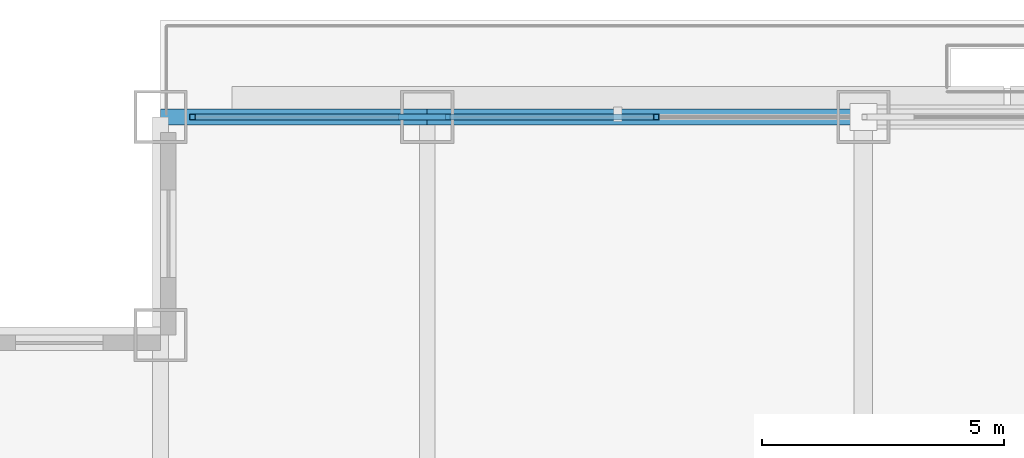
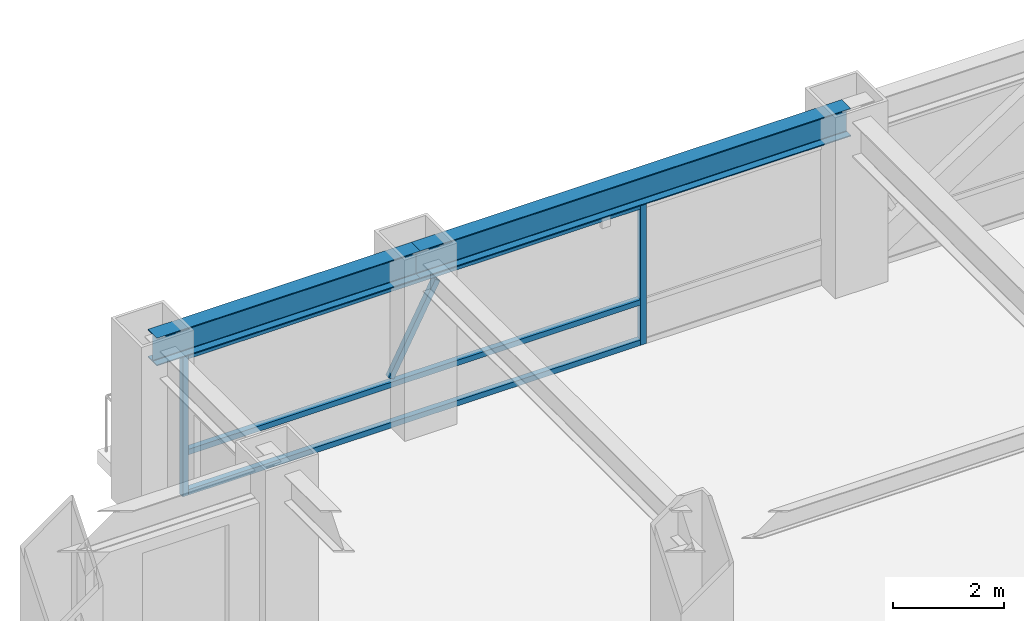
# One storey, part 17 of 35: 6 members, 2 beams, 1 element without a shape of its own.
"""IFC4 building model written with IfcOpenShell, lengths in metres."""

from ifc_helpers import new_model, si_unit, direction, frame, origin, origin_2d, place, context, subcontext, project, spatial, hollow_rectangle, i_section, extrude, source, transform, mapped, material, material_profile, profile_set, type_object, element, aggregate, save


model = new_model("IFC4")

# Units and contexts
model_context = context("Model", 3, precision=1e-05, world=origin(), true_north=direction((0.0, 1.0)))
body_context = subcontext(model_context, "Body", "Model", "MODEL_VIEW")
ifc_project = project(units=[si_unit("LENGTHUNIT", "METRE"), si_unit("AREAUNIT", "SQUARE_METRE"), si_unit("VOLUMEUNIT", "CUBIC_METRE"), si_unit("PLANEANGLEUNIT", "RADIAN"), si_unit("MASSUNIT", "GRAM", prefix="KILO")], contexts=[model_context])

# Site, building, storey
site_placement = place(None, origin())
site = spatial("IfcSite", under=ifc_project, at=site_placement, CompositionType="ELEMENT")
building_placement = place(site_placement, origin())
building = spatial("IfcBuilding", under=site, at=building_placement, Name="Khorayat Bourse Tower", CompositionType="ELEMENT")
storey_placement = place(building_placement, frame((0.0, 0.0, 155.10009765625)))
storey = spatial("IfcBuildingStorey", under=building, at=storey_placement, Name="L35", CompositionType="ELEMENT", Elevation=155.10009765625)

# Beams
ifc_material_1 = material(Name="Steel ASTM A992 Grade 50", Category="steel")
ifc_material_profile_1 = material_profile(ifc_material_1, i_section(OverallWidth=0.324951171875, OverallDepth=0.615966796875, WebThickness=0.013916015625, FlangeThickness=0.021484375, FilletRadius=0.01611328125, at=origin_2d()), Name="W610X174")
ifc_profile_set_1 = profile_set([ifc_material_profile_1], Name="Steel ASTM A992 Grade 50")
beam_type = type_object("IfcBeamType", Name="BM-SPAN-610", PredefinedType="SPANDREL", material=ifc_profile_set_1)
shared_shape_1 = source(origin(), body_context, "Body", "SweptSolid", [
    extrude(i_section(OverallWidth=0.324951171875, OverallDepth=0.615966796875, WebThickness=0.013916015625, FlangeThickness=0.021484375, FilletRadius=0.01611328125, at=origin_2d()), origin(), (0.0, 0.0, 1.0), 5.5),
])
beam_1_placement = place(storey_placement, frame((-25.5, 30.0, 3.471923828125), z_axis=(1.0, 0.0, 0.0), x_axis=(0.0, 1.0, 0.0)))
element("IfcBeam", 1, at=beam_1_placement, inside=storey, type_object=beam_type, Name="L35 BM-SPAN-610 BM-L35-SPN-051", PredefinedType="SPANDREL", context=body_context, shape_type="MappedRepresentation", body=[
    mapped(shared_shape_1, transform((0.0, 0.0, 0.0), scale=1.0)),
])
shared_shape_2 = source(origin(), body_context, "Body", "SweptSolid", [
    extrude(i_section(OverallWidth=0.324951171875, OverallDepth=0.615966796875, WebThickness=0.013916015625, FlangeThickness=0.021484375, FilletRadius=0.01611328125, at=origin_2d()), origin(), (0.0, 0.0, 1.0), 9.0),
])
beam_2_placement = place(storey_placement, frame((-20.0, 30.0, 3.471923828125), z_axis=(1.0, 0.0, 0.0), x_axis=(0.0, 1.0, 0.0)))
element("IfcBeam", 2, at=beam_2_placement, inside=storey, type_object=beam_type, Name="L35 BM-SPAN-610 BM-L35-SPN-050", PredefinedType="SPANDREL", context=body_context, shape_type="MappedRepresentation", body=[
    mapped(shared_shape_2, transform((0.0, 0.0, 0.0), scale=1.0)),
])

# Curtain wall, members
ifc_material_2 = material(Name="Aluminium EN AW-6063 T6", Category="aluminium")
curtain_wall_type = type_object("IfcCurtainWallType", Name="CW-SYS-03", PredefinedType="NOTDEFINED", material=ifc_material_2)
curtain_wall_placement = place(storey_placement, origin())
curtain_wall = element("IfcCurtainWall", 3, at=curtain_wall_placement, inside=storey, type_object=curtain_wall_type, Name="L35 Curtain Wall CW-L35-N1", PredefinedType="NOTDEFINED")
ifc_material_profile_2 = material_profile(ifc_material_2, hollow_rectangle(XDim=0.1201171875, YDim=0.1201171875, WallThickness=0.0048828125, at=origin_2d()), Name="ALU 120x120x5")
ifc_profile_set_2 = profile_set([ifc_material_profile_2], Name="Aluminium EN AW-6063 T6")
member_type_1 = type_object("IfcMemberType", Name="CWM-VERT-120", PredefinedType="MULLION", material=ifc_profile_set_2)
shared_shape_3 = source(origin(), body_context, "Body", "SweptSolid", [
    extrude(hollow_rectangle(XDim=0.1201171875, YDim=0.1201171875, WallThickness=0.0048828125, at=origin_2d()), origin(), (0.0, 0.0, 1.0), 3.1298828125),
])
member_1_placement = place(storey_placement, frame((-24.840087890625, 30.0, 0.0), z_axis=(0.0, 0.0, 1.0), x_axis=(0.0, 1.0, 0.0)))
member_1 = element("IfcMember", 4, at=member_1_placement, type_object=member_type_1, Name="CW-L35-N1 Vertical Mullion 1", PredefinedType="MULLION", context=body_context, shape_type="MappedRepresentation", body=[
    mapped(shared_shape_3, transform((0.0, 0.0, 0.0), scale=1.0)),
])
member_2_placement = place(storey_placement, frame((-15.27490234375, 30.0, 0.0), z_axis=(0.0, 0.0, 1.0), x_axis=(0.0, 1.0, 0.0)))
member_2 = element("IfcMember", 5, at=member_2_placement, type_object=member_type_1, Name="CW-L35-N1 Vertical Mullion 2", PredefinedType="MULLION", context=body_context, shape_type="MappedRepresentation", body=[
    mapped(shared_shape_3, transform((0.0, 0.0, 0.0), scale=1.0)),
])
ifc_material_profile_3 = material_profile(ifc_material_2, hollow_rectangle(XDim=0.1201171875, YDim=0.1201171875, WallThickness=0.0048828125, at=origin_2d()), Name="ALU 120x120x5")
ifc_profile_set_3 = profile_set([ifc_material_profile_3], Name="Aluminium EN AW-6063 T6")
member_type_2 = type_object("IfcMemberType", Name="CWT-HORZ-120", PredefinedType="USERDEFINED", material=ifc_profile_set_3)
shared_shape_4 = source(origin(), body_context, "Body", "SweptSolid", [
    extrude(hollow_rectangle(XDim=0.1201171875, YDim=0.1201171875, WallThickness=0.0048828125, at=origin_2d()), origin(), (0.0, 0.0, 1.0), 9.445068359375),
])
member_3_placement = place(storey_placement, frame((-24.780029296875, 30.0, 0.059814453125), z_axis=(1.0, 0.0, 0.0), x_axis=(0.0, 1.0, 0.0)))
member_3 = element("IfcMember", 6, at=member_3_placement, type_object=member_type_2, Name="CW-L35-N1 Horizontal Transom 1-1", ObjectType="TRANSOM", PredefinedType="USERDEFINED", context=body_context, shape_type="MappedRepresentation", body=[
    mapped(shared_shape_4, transform((0.0, 0.0, 0.0), scale=1.0)),
])
member_4_placement = place(storey_placement, frame((-24.780029296875, 30.0, 0.949951171875), z_axis=(1.0, 0.0, 0.0), x_axis=(0.0, 1.0, 0.0)))
member_4 = element("IfcMember", 7, at=member_4_placement, type_object=member_type_2, Name="CW-L35-N1 Horizontal Transom 1-2", ObjectType="TRANSOM", PredefinedType="USERDEFINED", context=body_context, shape_type="MappedRepresentation", body=[
    mapped(shared_shape_4, transform((0.0, 0.0, 0.0), scale=1.0)),
])
member_5_placement = place(storey_placement, frame((-24.780029296875, 30.0, 3.06982421875), z_axis=(1.0, 0.0, 0.0), x_axis=(0.0, 1.0, 0.0)))
member_5 = element("IfcMember", 8, at=member_5_placement, type_object=member_type_2, Name="CW-L35-N1 Horizontal Transom 1-3", ObjectType="TRANSOM", PredefinedType="USERDEFINED", context=body_context, shape_type="MappedRepresentation", body=[
    mapped(shared_shape_4, transform((0.0, 0.0, 0.0), scale=1.0)),
])
ifc_material_profile_4 = material_profile(ifc_material_2, hollow_rectangle(XDim=0.1201171875, YDim=0.1201171875, WallThickness=0.0048828125, at=origin_2d()), Name="ALU 120x120x5")
ifc_profile_set_4 = profile_set([ifc_material_profile_4], Name="Aluminium EN AW-6063 T6")
member_type_3 = type_object("IfcMemberType", Name="CWM-DIAG-120", PredefinedType="MULLION", material=ifc_profile_set_4)
shared_shape_5 = source(origin(), body_context, "Body", "SweptSolid", [
    extrude(hollow_rectangle(XDim=0.1201171875, YDim=0.1201171875, WallThickness=0.0048828125, at=origin_2d()), origin(), (0.0, 0.0, 1.0), 2.079345703125),
])
member_6_placement = place(storey_placement, frame((-20.541748046875, 30.0, 1.08984375), z_axis=(0.465760949701, 0.0, 0.884910581773), x_axis=(0.0, 1.0, 0.0)))
member_6 = element("IfcMember", 9, at=member_6_placement, type_object=member_type_3, Name="CW-L35-N1 Faceted Diagonal Mullion 1", PredefinedType="MULLION", context=body_context, shape_type="MappedRepresentation", body=[
    mapped(shared_shape_5, transform((0.0, 0.0, 0.0), scale=1.0)),
])
aggregate(curtain_wall, [member_1, member_2, member_3, member_4, member_5, member_6])

save(model, "model.ifc")
